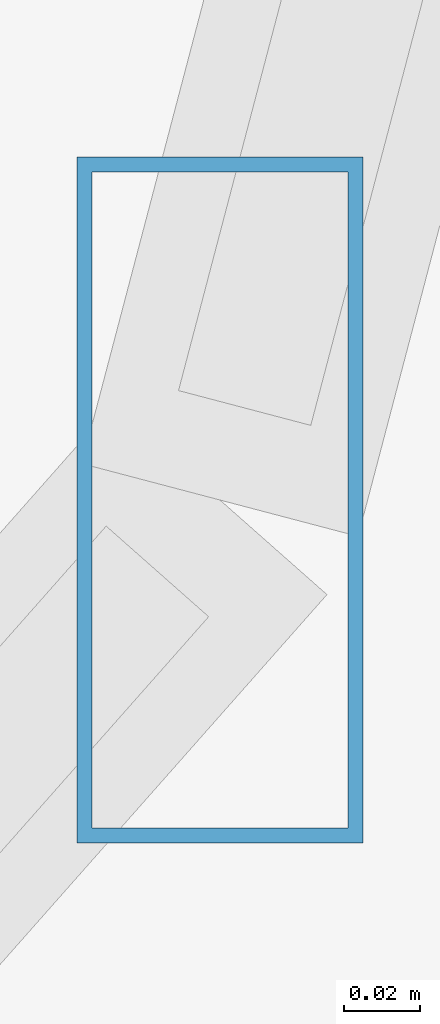
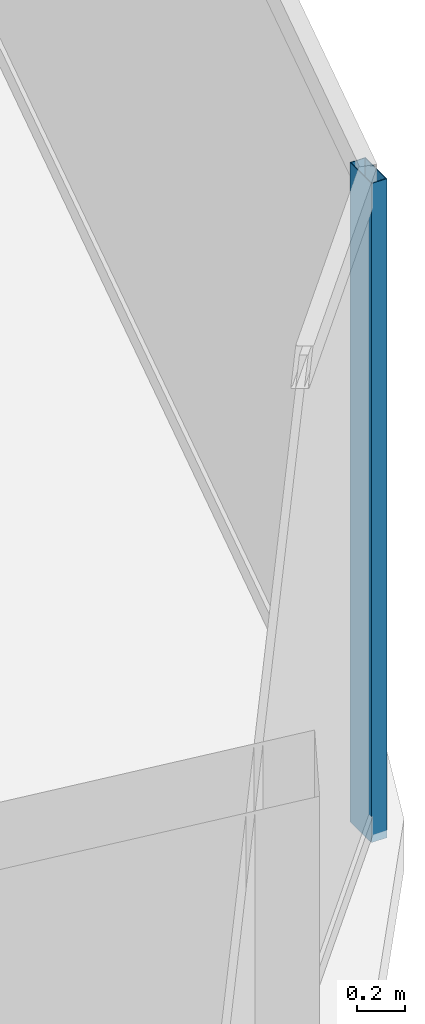
# One storey, part 13 of 31: 1 member, 1 element without a shape of its own.
"""IFC4 building model written with IfcOpenShell, lengths in metres."""

from ifc_helpers import new_model, si_unit, direction, frame, origin, origin_2d, place, context, subcontext, project, spatial, hollow_rectangle, extrude, material, material_profile, profile_set, type_object, element, aggregate, save


model = new_model("IFC4")

# Units and contexts
model_context = context("Model", 3, precision=1e-05, world=origin(), true_north=direction((0.0, 1.0)))
body_context = subcontext(model_context, "Body", "Model", "MODEL_VIEW")
ifc_project = project(units=[si_unit("LENGTHUNIT", "METRE"), si_unit("AREAUNIT", "SQUARE_METRE"), si_unit("VOLUMEUNIT", "CUBIC_METRE"), si_unit("PLANEANGLEUNIT", "RADIAN"), si_unit("MASSUNIT", "GRAM", prefix="KILO")], contexts=[model_context])

# Site, building, storey
site_placement = place(None, origin())
site = spatial("IfcSite", under=ifc_project, at=site_placement, CompositionType="ELEMENT")
building_placement = place(site_placement, origin())
building = spatial("IfcBuilding", under=site, at=building_placement, Name="Vorneva Point Tower", CompositionType="ELEMENT")
storey_placement = place(building_placement, frame((0.0, 0.0, 248.449951171875)))
storey = spatial("IfcBuildingStorey", under=building, at=storey_placement, Name="L67", CompositionType="ELEMENT", Elevation=248.449951171875)

# Curtain wall, member
ifc_material = material(Name="Pale anodised aluminium", Category="aluminium")
curtain_wall_type = type_object("IfcCurtainWallType", Name="CW-RES-SYS", PredefinedType="NOTDEFINED", material=ifc_material)
curtain_wall_placement = place(storey_placement, origin())
curtain_wall = element("IfcCurtainWall", 1, at=curtain_wall_placement, inside=storey, type_object=curtain_wall_type, Name="L67 Unitised Curtain Wall CW-L67-R01", PredefinedType="NOTDEFINED")
ifc_material_profile = material_profile(ifc_material, hollow_rectangle(XDim=0.074951171875, YDim=0.179931640625, WallThickness=0.00390625, at=origin_2d()), Name="AL-MUL 180x75x4")
ifc_profile_set = profile_set([ifc_material_profile], Name="Pale anodised aluminium")
member_type = type_object("IfcMemberType", Name="CW-MUL-180", PredefinedType="MULLION", material=ifc_profile_set)
member_placement = place(storey_placement, frame((62.20556640625, 18.4189453125, -0.0400390625), z_axis=(0.0, 0.0, 1.0), x_axis=(1.0, 0.0, 0.0)))
member = element("IfcMember", 2, at=member_placement, type_object=member_type, Name="CW-L67-R01 Mullion 02", PredefinedType="MULLION", context=body_context, shape_type="SweptSolid", body=[
    extrude(hollow_rectangle(XDim=0.074951171875, YDim=0.179931640625, WallThickness=0.00390625, at=origin_2d()), origin(), (0.0, 0.0, 1.0), 3.360107421875),
])
aggregate(curtain_wall, [member])

save(model, "model.ifc")
